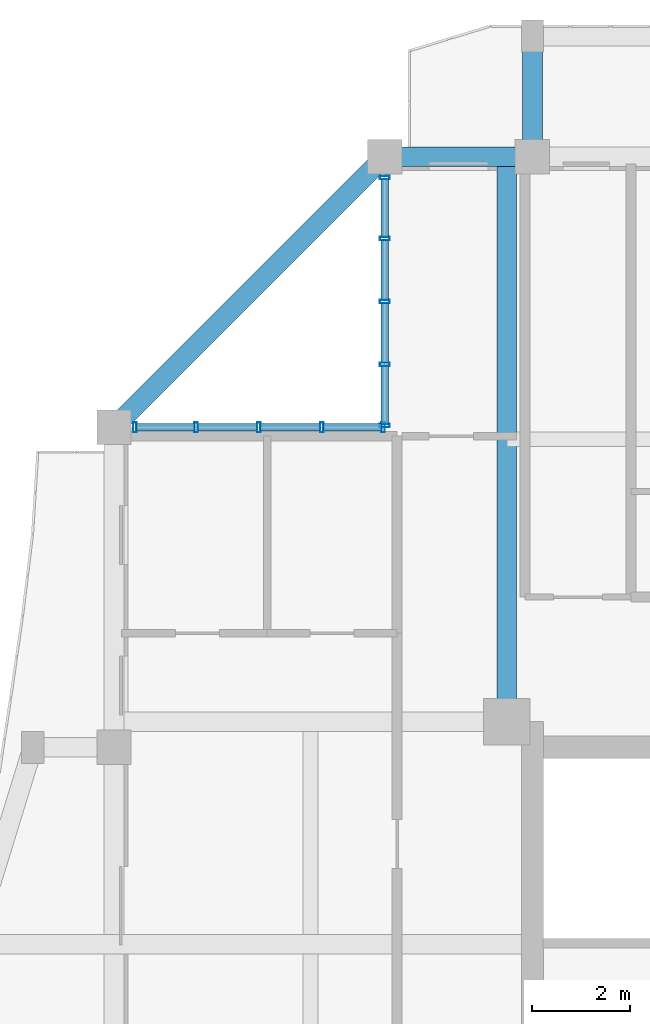
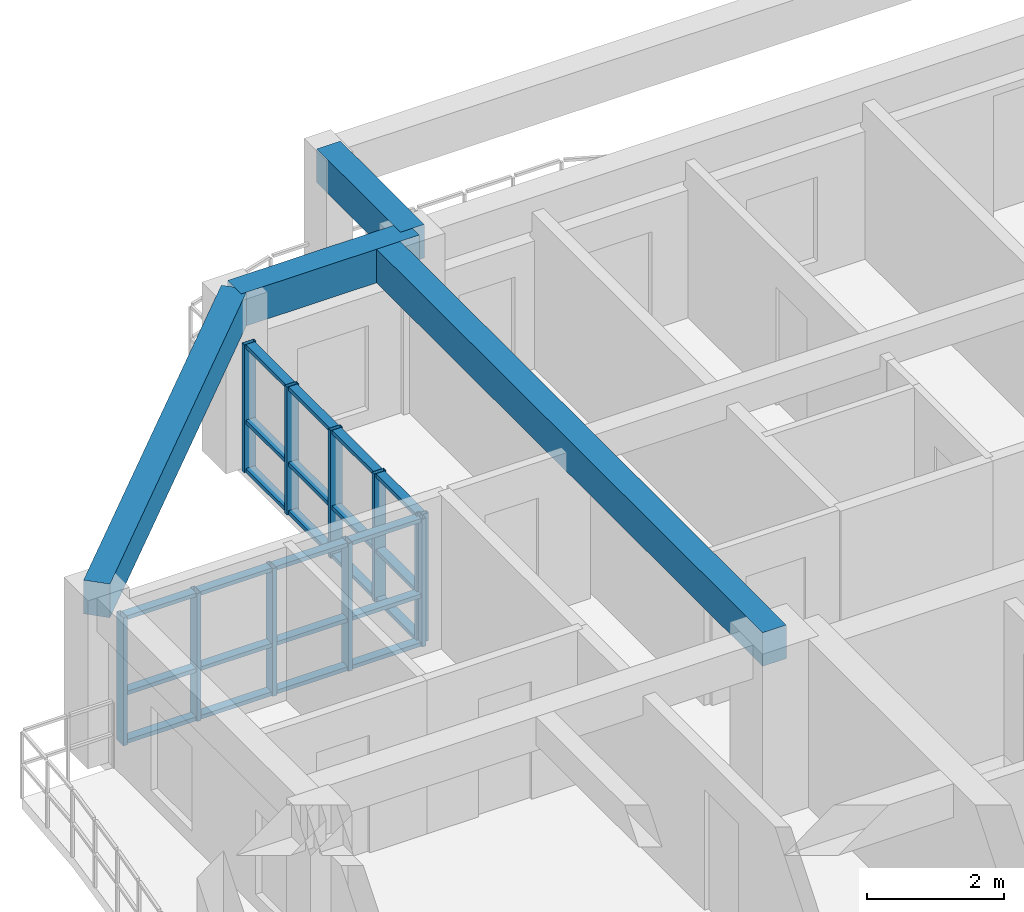
# One storey, part 8 of 24: 34 members, 4 beams, 2 elements without a shape of their own.
"""IFC4 building model written with IfcOpenShell, lengths in metres."""

from ifc_helpers import new_model, si_unit, direction, frame, origin, origin_2d, place, context, subcontext, project, spatial, rectangle, hollow_rectangle, extrude, source, transform, mapped, material, layer, layer_set, material_profile, profile_set, type_object, element, aggregate, save


model = new_model("IFC4")

# Units and contexts
model_context = context("Model", 3, precision=1e-05, world=origin(), true_north=direction((0.0, 1.0)))
body_context = subcontext(model_context, "Body", "Model", "MODEL_VIEW")
ifc_project = project(units=[si_unit("LENGTHUNIT", "METRE"), si_unit("AREAUNIT", "SQUARE_METRE"), si_unit("VOLUMEUNIT", "CUBIC_METRE"), si_unit("PLANEANGLEUNIT", "RADIAN"), si_unit("MASSUNIT", "GRAM", prefix="KILO")], contexts=[model_context])

# Site, building, storey
site_placement = place(None, origin())
site = spatial("IfcSite", under=ifc_project, at=site_placement, CompositionType="ELEMENT")
building_placement = place(site_placement, origin())
building = spatial("IfcBuilding", under=site, at=building_placement, Name="Saelheon Loggia Tower", CompositionType="ELEMENT")
storey_placement = place(building_placement, frame((0.0, 0.0, 246.0)))
storey = spatial("IfcBuildingStorey", under=building, at=storey_placement, Name="L76", CompositionType="ELEMENT", Elevation=246.0)

# Beams
ifc_material_1 = material(Name="Precast Concrete C45/55", Category="concrete")
ifc_material_profile_1 = material_profile(ifc_material_1, rectangle(XDim=0.39990234375, YDim=0.60009765625, at=origin_2d()), Name="RC-400x600")
ifc_profile_set_1 = profile_set([ifc_material_profile_1], Name="Precast Concrete C45/55")
beam_type_1 = type_object("IfcBeamType", Name="Beam_LoggiaTie_RC400x600", PredefinedType="BEAM", material=ifc_profile_set_1)
shared_shape_1 = source(origin(), body_context, "Body", "SweptSolid", [
    extrude(rectangle(XDim=0.39990234375, YDim=0.60009765625, at=origin_2d()), origin(), (0.0, 0.0, 1.0), 2.449951171875),
])
beam_1_placement = place(storey_placement, frame((31.5, 48.0, 2.699951171875), z_axis=(0.0, 1.0, 0.0), x_axis=(-1.0, 0.0, 0.0)))
element("IfcBeam", 1, at=beam_1_placement, inside=storey, type_object=beam_type_1, Name="L76 Loggia Frame Tie Beam LP-N1", PredefinedType="BEAM", context=body_context, shape_type="MappedRepresentation", body=[
    mapped(shared_shape_1, transform((0.0, 0.0, 0.0), scale=1.0)),
])
ifc_material_2 = material(Name="Concrete C40/50", Category="concrete")
ifc_material_profile_2 = material_profile(ifc_material_2, rectangle(XDim=0.39990234375, YDim=0.60009765625, at=origin_2d()), Name="RC-400x600")
ifc_profile_set_2 = profile_set([ifc_material_profile_2], Name="Concrete C40/50")
beam_type_2 = type_object("IfcBeamType", Name="Beam_UpperGirder_RC400x600", PredefinedType="BEAM", material=ifc_profile_set_2)
shared_shape_2 = source(origin(), body_context, "Body", "SweptSolid", [
    extrude(rectangle(XDim=0.39990234375, YDim=0.60009765625, at=origin_2d()), origin(), (0.0, 0.0, 1.0), 11.47998046875),
])
beam_2_placement = place(storey_placement, frame((30.97998046875, 36.52001953125, 2.699951171875), z_axis=(0.0, 1.0, 0.0), x_axis=(-1.0, 0.0, 0.0)))
element("IfcBeam", 2, at=beam_2_placement, inside=storey, type_object=beam_type_2, Name="L76 Radial Floor Girder RAD-NW-N", PredefinedType="BEAM", context=body_context, shape_type="MappedRepresentation", body=[
    mapped(shared_shape_2, transform((0.0, 0.0, 0.0), scale=1.0)),
])
ifc_material_profile_3 = material_profile(ifc_material_2, rectangle(XDim=0.39990234375, YDim=0.60009765625, at=origin_2d()), Name="RC-400x600")
ifc_profile_set_3 = profile_set([ifc_material_profile_3], Name="Concrete C40/50")
beam_type_3 = type_object("IfcBeamType", Name="Beam_PerimUpper_RC400x600", PredefinedType="BEAM", material=ifc_profile_set_3)
shared_shape_3 = source(origin(), body_context, "Body", "SweptSolid", [
    extrude(rectangle(XDim=0.39990234375, YDim=0.60009765625, at=origin_2d()), origin(), (0.0, 0.0, 1.0), 7.778076171875),
])
beam_3_placement = place(storey_placement, frame((28.5, 48.0, 2.699951171875), z_axis=(-0.707106781187, -0.707106781187, 0.0), x_axis=(0.707106781187, -0.707106781187, 0.0)))
element("IfcBeam", 3, at=beam_3_placement, inside=storey, type_object=beam_type_3, Name="L76 Perimeter Frame Girder 12", PredefinedType="BEAM", context=body_context, shape_type="MappedRepresentation", body=[
    mapped(shared_shape_3, transform((0.0, 0.0, 0.0), scale=1.0)),
])
shared_shape_4 = source(origin(), body_context, "Body", "SweptSolid", [
    extrude(rectangle(XDim=0.39990234375, YDim=0.60009765625, at=origin_2d()), origin(), (0.0, 0.0, 1.0), 3.0),
])
beam_4_placement = place(storey_placement, frame((31.5, 48.0, 2.699951171875), z_axis=(-1.0, 0.0, 0.0), x_axis=(0.0, -1.0, 0.0)))
element("IfcBeam", 4, at=beam_4_placement, inside=storey, type_object=beam_type_3, Name="L76 Perimeter Frame Girder 11", PredefinedType="BEAM", context=body_context, shape_type="MappedRepresentation", body=[
    mapped(shared_shape_4, transform((0.0, 0.0, 0.0), scale=1.0)),
])

# Curtain wall, members
ifc_material_3 = material(Name="High-Wind Aluminium and Triple Laminated Glass", Category="aluminium")
ifc_layer = layer(ifc_material_3, 0.179931640625)
ifc_layer_set = layer_set([ifc_layer], Name="High-Wind Aluminium and Triple Laminated Glass")
curtain_wall_type = type_object("IfcCurtainWallType", Name="CW_TowerLoggiaHigh", PredefinedType="NOTDEFINED", material=ifc_layer_set)
curtain_wall_1_placement = place(storey_placement, origin())
curtain_wall_1 = element("IfcCurtainWall", 5, at=curtain_wall_1_placement, inside=storey, type_object=curtain_wall_type, Name="L76 Corner Notch Glazing NW1", PredefinedType="NOTDEFINED")
ifc_material_4 = material(Name="Anodised Aluminium 6063-T6", Category="aluminium")
ifc_material_profile_4 = material_profile(ifc_material_4, hollow_rectangle(XDim=0.070068359375, YDim=0.199951171875, WallThickness=0.0048828125, at=origin_2d()), Name="RHS-200x70x5")
ifc_profile_set_4 = profile_set([ifc_material_profile_4], Name="Anodised Aluminium 6063-T6")
member_type_1 = type_object("IfcMemberType", Name="CW_TowerLoggiaHigh_Mullion", PredefinedType="MULLION", material=ifc_profile_set_4)
shared_shape_5 = source(origin(), body_context, "Body", "SweptSolid", [
    extrude(hollow_rectangle(XDim=0.070068359375, YDim=0.199951171875, WallThickness=0.0048828125, at=origin_2d()), origin(), (0.0, 0.0, 1.0), 2.280029296875),
])
member_1_placement = place(storey_placement, frame((28.5, 42.534912109375, 0.0), z_axis=(0.0, 0.0, 1.0), x_axis=(0.0, 1.0, 0.0)))
member_1 = element("IfcMember", 6, at=member_1_placement, type_object=member_type_1, Name="CW4 mullion 1", PredefinedType="MULLION", context=body_context, shape_type="MappedRepresentation", body=[
    mapped(shared_shape_5, transform((0.0, 0.0, 0.0), scale=1.0)),
])
member_2_placement = place(storey_placement, frame((28.5, 43.777587890625, 0.0), z_axis=(0.0, 0.0, 1.0), x_axis=(0.0, 1.0, 0.0)))
member_2 = element("IfcMember", 7, at=member_2_placement, type_object=member_type_1, Name="CW4 mullion 2", PredefinedType="MULLION", context=body_context, shape_type="MappedRepresentation", body=[
    mapped(shared_shape_5, transform((0.0, 0.0, 0.0), scale=1.0)),
])
member_3_placement = place(storey_placement, frame((28.5, 45.054931640625, 0.0), z_axis=(0.0, 0.0, 1.0), x_axis=(0.0, 1.0, 0.0)))
member_3 = element("IfcMember", 8, at=member_3_placement, type_object=member_type_1, Name="CW4 mullion 3", PredefinedType="MULLION", context=body_context, shape_type="MappedRepresentation", body=[
    mapped(shared_shape_5, transform((0.0, 0.0, 0.0), scale=1.0)),
])
member_4_placement = place(storey_placement, frame((28.5, 46.33251953125, 0.0), z_axis=(0.0, 0.0, 1.0), x_axis=(0.0, 1.0, 0.0)))
member_4 = element("IfcMember", 9, at=member_4_placement, type_object=member_type_1, Name="CW4 mullion 4", PredefinedType="MULLION", context=body_context, shape_type="MappedRepresentation", body=[
    mapped(shared_shape_5, transform((0.0, 0.0, 0.0), scale=1.0)),
])
member_5_placement = place(storey_placement, frame((28.5, 47.574951171875, 0.0), z_axis=(0.0, 0.0, 1.0), x_axis=(0.0, 1.0, 0.0)))
member_5 = element("IfcMember", 10, at=member_5_placement, type_object=member_type_1, Name="CW4 mullion 5", PredefinedType="MULLION", context=body_context, shape_type="MappedRepresentation", body=[
    mapped(shared_shape_5, transform((0.0, 0.0, 0.0), scale=1.0)),
])

curtain_wall_2_placement = place(storey_placement, origin())
curtain_wall_2 = element("IfcCurtainWall", 11, at=curtain_wall_2_placement, inside=storey, type_object=curtain_wall_type, Name="L76 Corner Notch Glazing NW2", PredefinedType="NOTDEFINED")
member_6_placement = place(storey_placement, frame((23.425048828125, 42.5, 0.0), z_axis=(0.0, 0.0, 1.0), x_axis=(1.0, 0.0, 0.0)))
member_6 = element("IfcMember", 12, at=member_6_placement, type_object=member_type_1, Name="CW4 mullion 1", PredefinedType="MULLION", context=body_context, shape_type="MappedRepresentation", body=[
    mapped(shared_shape_5, transform((0.0, 0.0, 0.0), scale=1.0)),
])
member_7_placement = place(storey_placement, frame((24.66748046875, 42.5, 0.0), z_axis=(0.0, 0.0, 1.0), x_axis=(1.0, 0.0, 0.0)))
member_7 = element("IfcMember", 13, at=member_7_placement, type_object=member_type_1, Name="CW4 mullion 2", PredefinedType="MULLION", context=body_context, shape_type="MappedRepresentation", body=[
    mapped(shared_shape_5, transform((0.0, 0.0, 0.0), scale=1.0)),
])
member_8_placement = place(storey_placement, frame((25.945068359375, 42.5, 0.0), z_axis=(0.0, 0.0, 1.0), x_axis=(1.0, 0.0, 0.0)))
member_8 = element("IfcMember", 14, at=member_8_placement, type_object=member_type_1, Name="CW4 mullion 3", PredefinedType="MULLION", context=body_context, shape_type="MappedRepresentation", body=[
    mapped(shared_shape_5, transform((0.0, 0.0, 0.0), scale=1.0)),
])
member_9_placement = place(storey_placement, frame((27.222412109375, 42.5, 0.0), z_axis=(0.0, 0.0, 1.0), x_axis=(1.0, 0.0, 0.0)))
member_9 = element("IfcMember", 15, at=member_9_placement, type_object=member_type_1, Name="CW4 mullion 4", PredefinedType="MULLION", context=body_context, shape_type="MappedRepresentation", body=[
    mapped(shared_shape_5, transform((0.0, 0.0, 0.0), scale=1.0)),
])
member_10_placement = place(storey_placement, frame((28.465087890625, 42.5, 0.0), z_axis=(0.0, 0.0, 1.0), x_axis=(1.0, 0.0, 0.0)))
member_10 = element("IfcMember", 16, at=member_10_placement, type_object=member_type_1, Name="CW4 mullion 5", PredefinedType="MULLION", context=body_context, shape_type="MappedRepresentation", body=[
    mapped(shared_shape_5, transform((0.0, 0.0, 0.0), scale=1.0)),
])

# Member
ifc_material_profile_5 = material_profile(ifc_material_4, hollow_rectangle(XDim=0.070068359375, YDim=0.14990234375, WallThickness=0.0048828125, at=origin_2d()), Name="RHS-150x70x5")
ifc_profile_set_5 = profile_set([ifc_material_profile_5], Name="Anodised Aluminium 6063-T6")
member_type_2 = type_object("IfcMemberType", Name="CW_TowerLoggiaHigh_Transom", PredefinedType="USERDEFINED", material=ifc_profile_set_5)
shared_shape_6 = source(origin(), body_context, "Body", "SweptSolid", [
    extrude(hollow_rectangle(XDim=0.070068359375, YDim=0.14990234375, WallThickness=0.0048828125, at=origin_2d()), origin(), (0.0, 0.0, 1.0), 1.172607421875),
])
member_11_placement = place(storey_placement, frame((28.5, 46.367431640625, 0.034912109375), z_axis=(0.0, 1.0, 0.0), x_axis=(0.0, 0.0, 1.0)))
member_11 = element("IfcMember", 17, at=member_11_placement, type_object=member_type_2, Name="CW4 transom 4.1", ObjectType="TRANSOM", PredefinedType="USERDEFINED", context=body_context, shape_type="MappedRepresentation", body=[
    mapped(shared_shape_6, transform((0.0, 0.0, 0.0), scale=1.0)),
])

member_12_placement = place(storey_placement, frame((28.5, 46.367431640625, 0.89990234375), z_axis=(0.0, 1.0, 0.0), x_axis=(0.0, 0.0, 1.0)))
member_12 = element("IfcMember", 18, at=member_12_placement, type_object=member_type_2, Name="CW4 transom 4.2", ObjectType="TRANSOM", PredefinedType="USERDEFINED", context=body_context, shape_type="MappedRepresentation", body=[
    mapped(shared_shape_6, transform((0.0, 0.0, 0.0), scale=1.0)),
])

member_13_placement = place(storey_placement, frame((28.5, 46.367431640625, 2.2451171875), z_axis=(0.0, 1.0, 0.0), x_axis=(0.0, 0.0, 1.0)))
member_13 = element("IfcMember", 19, at=member_13_placement, type_object=member_type_2, Name="CW4 transom 4.3", ObjectType="TRANSOM", PredefinedType="USERDEFINED", context=body_context, shape_type="MappedRepresentation", body=[
    mapped(shared_shape_6, transform((0.0, 0.0, 0.0), scale=1.0)),
])

member_14_placement = place(storey_placement, frame((23.4599609375, 42.5, 0.034912109375), z_axis=(1.0, 0.0, 0.0), x_axis=(0.0, 0.0, 1.0)))
member_14 = element("IfcMember", 20, at=member_14_placement, type_object=member_type_2, Name="CW4 transom 1.1", ObjectType="TRANSOM", PredefinedType="USERDEFINED", context=body_context, shape_type="MappedRepresentation", body=[
    mapped(shared_shape_6, transform((0.0, 0.0, 0.0), scale=1.0)),
])

member_15_placement = place(storey_placement, frame((23.4599609375, 42.5, 0.89990234375), z_axis=(1.0, 0.0, 0.0), x_axis=(0.0, 0.0, 1.0)))
member_15 = element("IfcMember", 21, at=member_15_placement, type_object=member_type_2, Name="CW4 transom 1.2", ObjectType="TRANSOM", PredefinedType="USERDEFINED", context=body_context, shape_type="MappedRepresentation", body=[
    mapped(shared_shape_6, transform((0.0, 0.0, 0.0), scale=1.0)),
])

member_16_placement = place(storey_placement, frame((23.4599609375, 42.5, 2.2451171875), z_axis=(1.0, 0.0, 0.0), x_axis=(0.0, 0.0, 1.0)))
member_16 = element("IfcMember", 22, at=member_16_placement, type_object=member_type_2, Name="CW4 transom 1.3", ObjectType="TRANSOM", PredefinedType="USERDEFINED", context=body_context, shape_type="MappedRepresentation", body=[
    mapped(shared_shape_6, transform((0.0, 0.0, 0.0), scale=1.0)),
])

shared_shape_7 = source(origin(), body_context, "Body", "SweptSolid", [
    extrude(hollow_rectangle(XDim=0.070068359375, YDim=0.14990234375, WallThickness=0.0048828125, at=origin_2d()), origin(), (0.0, 0.0, 1.0), 1.20751953125),
])
member_17_placement = place(storey_placement, frame((28.5, 43.8125, 0.034912109375), z_axis=(0.0, 1.0, 0.0), x_axis=(0.0, 0.0, 1.0)))
member_17 = element("IfcMember", 23, at=member_17_placement, type_object=member_type_2, Name="CW4 transom 2.1", ObjectType="TRANSOM", PredefinedType="USERDEFINED", context=body_context, shape_type="MappedRepresentation", body=[
    mapped(shared_shape_7, transform((0.0, 0.0, 0.0), scale=1.0)),
])

member_18_placement = place(storey_placement, frame((28.5, 43.8125, 0.89990234375), z_axis=(0.0, 1.0, 0.0), x_axis=(0.0, 0.0, 1.0)))
member_18 = element("IfcMember", 24, at=member_18_placement, type_object=member_type_2, Name="CW4 transom 2.2", ObjectType="TRANSOM", PredefinedType="USERDEFINED", context=body_context, shape_type="MappedRepresentation", body=[
    mapped(shared_shape_7, transform((0.0, 0.0, 0.0), scale=1.0)),
])

member_19_placement = place(storey_placement, frame((28.5, 43.8125, 2.2451171875), z_axis=(0.0, 1.0, 0.0), x_axis=(0.0, 0.0, 1.0)))
member_19 = element("IfcMember", 25, at=member_19_placement, type_object=member_type_2, Name="CW4 transom 2.3", ObjectType="TRANSOM", PredefinedType="USERDEFINED", context=body_context, shape_type="MappedRepresentation", body=[
    mapped(shared_shape_7, transform((0.0, 0.0, 0.0), scale=1.0)),
])

member_20_placement = place(storey_placement, frame((28.5, 45.090087890625, 0.034912109375), z_axis=(0.0, 1.0, 0.0), x_axis=(0.0, 0.0, 1.0)))
member_20 = element("IfcMember", 26, at=member_20_placement, type_object=member_type_2, Name="CW4 transom 3.1", ObjectType="TRANSOM", PredefinedType="USERDEFINED", context=body_context, shape_type="MappedRepresentation", body=[
    mapped(shared_shape_7, transform((0.0, 0.0, 0.0), scale=1.0)),
])

member_21_placement = place(storey_placement, frame((28.5, 45.090087890625, 0.89990234375), z_axis=(0.0, 1.0, 0.0), x_axis=(0.0, 0.0, 1.0)))
member_21 = element("IfcMember", 27, at=member_21_placement, type_object=member_type_2, Name="CW4 transom 3.2", ObjectType="TRANSOM", PredefinedType="USERDEFINED", context=body_context, shape_type="MappedRepresentation", body=[
    mapped(shared_shape_7, transform((0.0, 0.0, 0.0), scale=1.0)),
])

member_22_placement = place(storey_placement, frame((28.5, 45.090087890625, 2.2451171875), z_axis=(0.0, 1.0, 0.0), x_axis=(0.0, 0.0, 1.0)))
member_22 = element("IfcMember", 28, at=member_22_placement, type_object=member_type_2, Name="CW4 transom 3.3", ObjectType="TRANSOM", PredefinedType="USERDEFINED", context=body_context, shape_type="MappedRepresentation", body=[
    mapped(shared_shape_7, transform((0.0, 0.0, 0.0), scale=1.0)),
])

member_23_placement = place(storey_placement, frame((24.702392578125, 42.5, 0.034912109375), z_axis=(1.0, 0.0, 0.0), x_axis=(0.0, 0.0, 1.0)))
member_23 = element("IfcMember", 29, at=member_23_placement, type_object=member_type_2, Name="CW4 transom 2.1", ObjectType="TRANSOM", PredefinedType="USERDEFINED", context=body_context, shape_type="MappedRepresentation", body=[
    mapped(shared_shape_7, transform((0.0, 0.0, 0.0), scale=1.0)),
])

member_24_placement = place(storey_placement, frame((24.702392578125, 42.5, 0.89990234375), z_axis=(1.0, 0.0, 0.0), x_axis=(0.0, 0.0, 1.0)))
member_24 = element("IfcMember", 30, at=member_24_placement, type_object=member_type_2, Name="CW4 transom 2.2", ObjectType="TRANSOM", PredefinedType="USERDEFINED", context=body_context, shape_type="MappedRepresentation", body=[
    mapped(shared_shape_7, transform((0.0, 0.0, 0.0), scale=1.0)),
])

member_25_placement = place(storey_placement, frame((24.702392578125, 42.5, 2.2451171875), z_axis=(1.0, 0.0, 0.0), x_axis=(0.0, 0.0, 1.0)))
member_25 = element("IfcMember", 31, at=member_25_placement, type_object=member_type_2, Name="CW4 transom 2.3", ObjectType="TRANSOM", PredefinedType="USERDEFINED", context=body_context, shape_type="MappedRepresentation", body=[
    mapped(shared_shape_7, transform((0.0, 0.0, 0.0), scale=1.0)),
])

member_26_placement = place(storey_placement, frame((25.97998046875, 42.5, 0.034912109375), z_axis=(1.0, 0.0, 0.0), x_axis=(0.0, 0.0, 1.0)))
member_26 = element("IfcMember", 32, at=member_26_placement, type_object=member_type_2, Name="CW4 transom 3.1", ObjectType="TRANSOM", PredefinedType="USERDEFINED", context=body_context, shape_type="MappedRepresentation", body=[
    mapped(shared_shape_7, transform((0.0, 0.0, 0.0), scale=1.0)),
])

member_27_placement = place(storey_placement, frame((25.97998046875, 42.5, 0.89990234375), z_axis=(1.0, 0.0, 0.0), x_axis=(0.0, 0.0, 1.0)))
member_27 = element("IfcMember", 33, at=member_27_placement, type_object=member_type_2, Name="CW4 transom 3.2", ObjectType="TRANSOM", PredefinedType="USERDEFINED", context=body_context, shape_type="MappedRepresentation", body=[
    mapped(shared_shape_7, transform((0.0, 0.0, 0.0), scale=1.0)),
])

member_28_placement = place(storey_placement, frame((25.97998046875, 42.5, 2.2451171875), z_axis=(1.0, 0.0, 0.0), x_axis=(0.0, 0.0, 1.0)))
member_28 = element("IfcMember", 34, at=member_28_placement, type_object=member_type_2, Name="CW4 transom 3.3", ObjectType="TRANSOM", PredefinedType="USERDEFINED", context=body_context, shape_type="MappedRepresentation", body=[
    mapped(shared_shape_7, transform((0.0, 0.0, 0.0), scale=1.0)),
])

shared_shape_8 = source(origin(), body_context, "Body", "SweptSolid", [
    extrude(hollow_rectangle(XDim=0.070068359375, YDim=0.14990234375, WallThickness=0.0048828125, at=origin_2d()), origin(), (0.0, 0.0, 1.0), 1.17236328125),
])
member_29_placement = place(storey_placement, frame((28.5, 42.570068359375, 0.034912109375), z_axis=(0.0, 1.0, 0.0), x_axis=(0.0, 0.0, 1.0)))
member_29 = element("IfcMember", 35, at=member_29_placement, type_object=member_type_2, Name="CW4 transom 1.1", ObjectType="TRANSOM", PredefinedType="USERDEFINED", context=body_context, shape_type="MappedRepresentation", body=[
    mapped(shared_shape_8, transform((0.0, 0.0, 0.0), scale=1.0)),
])

member_30_placement = place(storey_placement, frame((28.5, 42.570068359375, 0.89990234375), z_axis=(0.0, 1.0, 0.0), x_axis=(0.0, 0.0, 1.0)))
member_30 = element("IfcMember", 36, at=member_30_placement, type_object=member_type_2, Name="CW4 transom 1.2", ObjectType="TRANSOM", PredefinedType="USERDEFINED", context=body_context, shape_type="MappedRepresentation", body=[
    mapped(shared_shape_8, transform((0.0, 0.0, 0.0), scale=1.0)),
])

member_31_placement = place(storey_placement, frame((28.5, 42.570068359375, 2.2451171875), z_axis=(0.0, 1.0, 0.0), x_axis=(0.0, 0.0, 1.0)))
member_31 = element("IfcMember", 37, at=member_31_placement, type_object=member_type_2, Name="CW4 transom 1.3", ObjectType="TRANSOM", PredefinedType="USERDEFINED", context=body_context, shape_type="MappedRepresentation", body=[
    mapped(shared_shape_8, transform((0.0, 0.0, 0.0), scale=1.0)),
])

aggregate(curtain_wall_1, [member_1, member_2, member_3, member_4, member_5, member_29, member_30, member_31, member_17, member_18, member_19, member_20, member_21, member_22, member_11, member_12, member_13])

member_32_placement = place(storey_placement, frame((27.257568359375, 42.5, 0.034912109375), z_axis=(1.0, 0.0, 0.0), x_axis=(0.0, 0.0, 1.0)))
member_32 = element("IfcMember", 38, at=member_32_placement, type_object=member_type_2, Name="CW4 transom 4.1", ObjectType="TRANSOM", PredefinedType="USERDEFINED", context=body_context, shape_type="MappedRepresentation", body=[
    mapped(shared_shape_8, transform((0.0, 0.0, 0.0), scale=1.0)),
])

member_33_placement = place(storey_placement, frame((27.257568359375, 42.5, 0.89990234375), z_axis=(1.0, 0.0, 0.0), x_axis=(0.0, 0.0, 1.0)))
member_33 = element("IfcMember", 39, at=member_33_placement, type_object=member_type_2, Name="CW4 transom 4.2", ObjectType="TRANSOM", PredefinedType="USERDEFINED", context=body_context, shape_type="MappedRepresentation", body=[
    mapped(shared_shape_8, transform((0.0, 0.0, 0.0), scale=1.0)),
])

member_34_placement = place(storey_placement, frame((27.257568359375, 42.5, 2.2451171875), z_axis=(1.0, 0.0, 0.0), x_axis=(0.0, 0.0, 1.0)))
member_34 = element("IfcMember", 40, at=member_34_placement, type_object=member_type_2, Name="CW4 transom 4.3", ObjectType="TRANSOM", PredefinedType="USERDEFINED", context=body_context, shape_type="MappedRepresentation", body=[
    mapped(shared_shape_8, transform((0.0, 0.0, 0.0), scale=1.0)),
])

aggregate(curtain_wall_2, [member_6, member_7, member_8, member_9, member_10, member_14, member_15, member_16, member_23, member_24, member_25, member_26, member_27, member_28, member_32, member_33, member_34])

save(model, "model.ifc")
